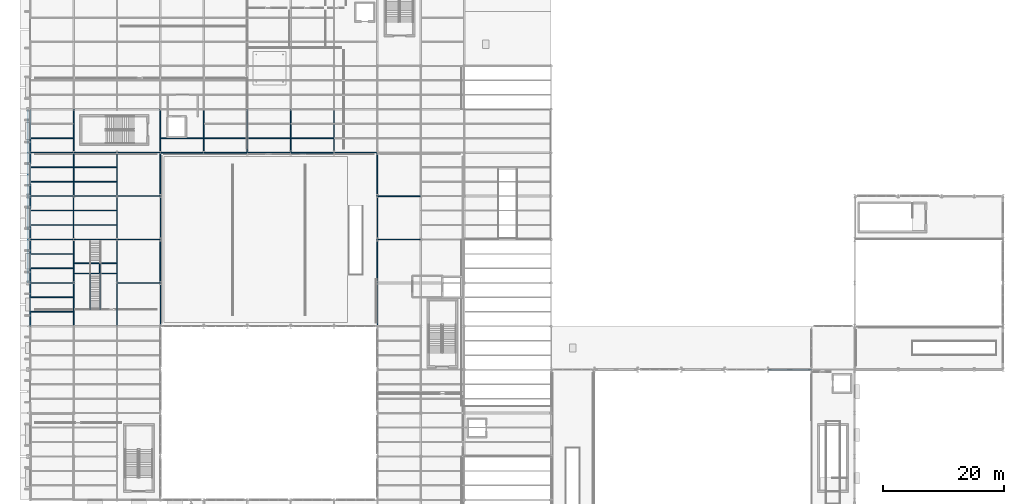
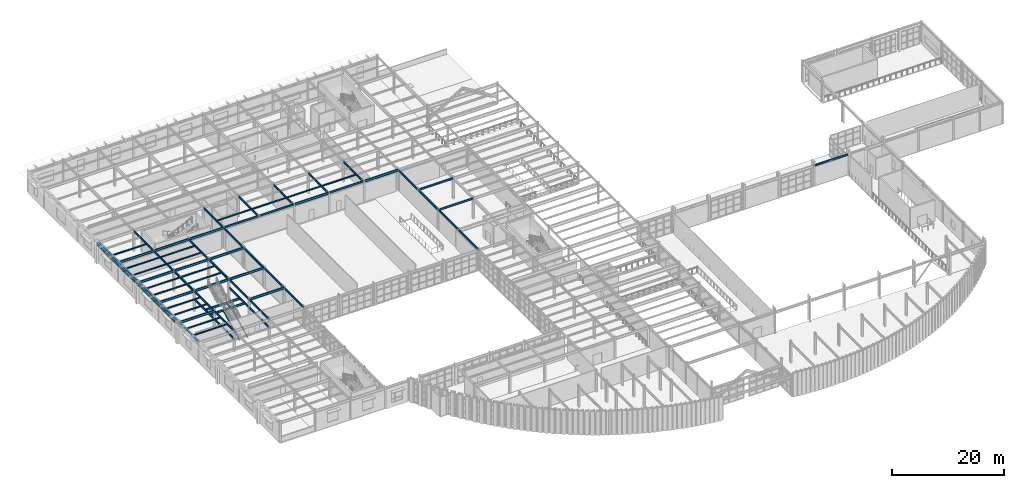
# One storey, part 55 of 126: 70 beams, 11 members.
"""IFC4 building model written with IfcOpenShell, lengths in metres."""

from ifc_helpers import new_model, si_unit, direction, frame, origin, origin_2d, place, context, subcontext, project, spatial, hollow_rectangle, i_section, extrude, material, material_profile, profile_set, type_object, element, save


model = new_model("IFC4")

# Units and contexts
model_context = context("Model", 3, precision=1e-05, world=origin(), true_north=direction((0.0, 1.0)))
body_context = subcontext(model_context, "Body", "Model", "MODEL_VIEW")
ifc_project = project(units=[si_unit("LENGTHUNIT", "METRE"), si_unit("AREAUNIT", "SQUARE_METRE"), si_unit("VOLUMEUNIT", "CUBIC_METRE"), si_unit("PLANEANGLEUNIT", "RADIAN"), si_unit("MASSUNIT", "GRAM", prefix="KILO")], contexts=[model_context])

# Site, building, storey
site_placement = place(None, origin())
site = spatial("IfcSite", under=ifc_project, at=site_placement, CompositionType="ELEMENT")
building_placement = place(site_placement, origin())
building = spatial("IfcBuilding", under=site, at=building_placement, Name="Solvadek Multi-Sports Hall", CompositionType="ELEMENT")
storey_placement = place(building_placement, frame((0.0, 0.0, 9.60009765625)))
storey = spatial("IfcBuildingStorey", under=building, at=storey_placement, Name="L02", CompositionType="ELEMENT", Elevation=9.60009765625)

# Members
ifc_material_1 = material(Name="Steel E250 (250 MPa)", Category="steel")
ifc_material_profile_1 = material_profile(ifc_material_1, hollow_rectangle(XDim=0.14990234375, YDim=0.300048828125, WallThickness=0.010009765625, at=origin_2d()), Name="RHS 300x150x10")
ifc_profile_set_1 = profile_set([ifc_material_profile_1], Name="Steel E250 (250 MPa)")
member_type_1 = type_object("IfcMemberType", Name="INT-SGR-RHS300", PredefinedType="STRINGER", material=ifc_profile_set_1)
for number, where, z_axis, x_axis, name in (
    (1, (11.639892578125, 52.0, -0.47021484375), (0.0, 0.890187188792, 0.455594961463), (-1.0, 0.0, 0.0), "Stair ST-14 Steel Stringer #15"),
    (2, (9.9599609375, 52.0, -0.47021484375), (0.0, 0.890187188792, 0.455594961463), (-1.0, 0.0, 0.0), "Stair ST-14 Steel Stringer #16"),
):
    element("IfcMember", number, at=place(storey_placement, frame(where, z_axis=z_axis, x_axis=x_axis)), inside=storey, type_object=member_type_1, Name=name, PredefinedType="STRINGER", context=body_context, shape_type="SweptSolid", body=[
        extrude(hollow_rectangle(XDim=0.14990234375, YDim=0.300048828125, WallThickness=0.010009765625, at=origin_2d()), origin(), (0.0, 0.0, 1.0), 6.683837890625),
    ])
ifc_material_2 = material(Name="Steel E350 (350 MPa)", Category="steel")
ifc_material_profile_2 = material_profile(ifc_material_2, hollow_rectangle(XDim=0.14990234375, YDim=0.25, WallThickness=0.010009765625, at=origin_2d()), Name="RHS 250x150x10")
ifc_profile_set_2 = profile_set([ifc_material_profile_2], Name="Steel E350 (350 MPa)")
member_type_2 = type_object("IfcMemberType", Name="STR-ARC-RHS250", PredefinedType="USERDEFINED", material=ifc_profile_set_2)
member_1_placement = place(storey_placement, frame((0.0, 49.199951171875, 3.64990234375), z_axis=(0.0, 0.983123357379, 0.182943882588), x_axis=(-1.0, 0.0, 0.0)))
element("IfcMember", 3, at=member_1_placement, inside=storey, type_object=member_type_2, Name="L02 West Facade Pointed Ottoman Arch 5L", ObjectType="ARCH_SEGMENT", PredefinedType="USERDEFINED", context=body_context, shape_type="SweptSolid", body=[
    extrude(hollow_rectangle(XDim=0.14990234375, YDim=0.25, WallThickness=0.010009765625, at=origin_2d()), origin(), (0.0, 0.0, 1.0), 3.661865234375),
])
member_2_placement = place(storey_placement, frame((0.0, 52.800048828125, 4.31982421875), z_axis=(0.0, 0.9831211258, -0.182955874479), x_axis=(-1.0, 0.0, 0.0)))
element("IfcMember", 4, at=member_2_placement, inside=storey, type_object=member_type_2, Name="L02 West Facade Pointed Ottoman Arch 5R", ObjectType="ARCH_SEGMENT", PredefinedType="USERDEFINED", context=body_context, shape_type="SweptSolid", body=[
    extrude(hollow_rectangle(XDim=0.14990234375, YDim=0.25, WallThickness=0.010009765625, at=origin_2d()), origin(), (0.0, 0.0, 1.0), 3.66162109375),
])
for number, where, z_axis, x_axis, name in (
    (5, (0.0, 56.39990234375, 3.64990234375), (0.0, 0.983123357379, 0.182943882588), (-1.0, 0.0, 0.0), "L02 West Facade Pointed Ottoman Arch 6L"),
    (6, (0.0, 60.0, 4.31982421875), (0.0, 0.983123357379, -0.182943882588), (-1.0, 0.0, 0.0), "L02 West Facade Pointed Ottoman Arch 6R"),
):
    element("IfcMember", number, at=place(storey_placement, frame(where, z_axis=z_axis, x_axis=x_axis)), inside=storey, type_object=member_type_2, Name=name, ObjectType="ARCH_SEGMENT", PredefinedType="USERDEFINED", context=body_context, shape_type="SweptSolid", body=[
        extrude(hollow_rectangle(XDim=0.14990234375, YDim=0.25, WallThickness=0.010009765625, at=origin_2d()), origin(), (0.0, 0.0, 1.0), 3.661865234375),
    ])
member_3_placement = place(storey_placement, frame((0.0, 63.60009765625, 3.64990234375), z_axis=(0.0, 0.9831211258, 0.182955874479), x_axis=(-1.0, 0.0, 0.0)))
element("IfcMember", 7, at=member_3_placement, inside=storey, type_object=member_type_2, Name="L02 West Facade Pointed Ottoman Arch 7L", ObjectType="ARCH_SEGMENT", PredefinedType="USERDEFINED", context=body_context, shape_type="SweptSolid", body=[
    extrude(hollow_rectangle(XDim=0.14990234375, YDim=0.25, WallThickness=0.010009765625, at=origin_2d()), origin(), (0.0, 0.0, 1.0), 3.66162109375),
])
member_4_placement = place(storey_placement, frame((0.0, 67.199951171875, 4.31982421875), z_axis=(0.0, 0.983123357379, -0.182943882588), x_axis=(-1.0, 0.0, 0.0)))
element("IfcMember", 8, at=member_4_placement, inside=storey, type_object=member_type_2, Name="L02 West Facade Pointed Ottoman Arch 7R", ObjectType="ARCH_SEGMENT", PredefinedType="USERDEFINED", context=body_context, shape_type="SweptSolid", body=[
    extrude(hollow_rectangle(XDim=0.14990234375, YDim=0.25, WallThickness=0.010009765625, at=origin_2d()), origin(), (0.0, 0.0, 1.0), 3.661865234375),
])
member_5_placement = place(storey_placement, frame((0.0, 70.800048828125, 3.64990234375), z_axis=(0.0, 0.9831211258, 0.182955874479), x_axis=(-1.0, 0.0, 0.0)))
element("IfcMember", 9, at=member_5_placement, inside=storey, type_object=member_type_2, Name="L02 West Facade Pointed Ottoman Arch 8L", ObjectType="ARCH_SEGMENT", PredefinedType="USERDEFINED", context=body_context, shape_type="SweptSolid", body=[
    extrude(hollow_rectangle(XDim=0.14990234375, YDim=0.25, WallThickness=0.010009765625, at=origin_2d()), origin(), (0.0, 0.0, 1.0), 3.66162109375),
])
for number, where, z_axis, x_axis, name in (
    (10, (0.0, 74.39990234375, 4.31982421875), (0.0, 0.983123357379, -0.182943882588), (-1.0, 0.0, 0.0), "L02 West Facade Pointed Ottoman Arch 8R"),
    (11, (0.0, 78.0, 3.64990234375), (0.0, 0.983123357379, 0.182943882588), (-1.0, 0.0, 0.0), "L02 West Facade Pointed Ottoman Arch 9L"),
):
    element("IfcMember", number, at=place(storey_placement, frame(where, z_axis=z_axis, x_axis=x_axis)), inside=storey, type_object=member_type_2, Name=name, ObjectType="ARCH_SEGMENT", PredefinedType="USERDEFINED", context=body_context, shape_type="SweptSolid", body=[
        extrude(hollow_rectangle(XDim=0.14990234375, YDim=0.25, WallThickness=0.010009765625, at=origin_2d()), origin(), (0.0, 0.0, 1.0), 3.661865234375),
    ])

# Beams
ifc_material_profile_3 = material_profile(ifc_material_2, i_section(OverallWidth=0.139892578125, OverallDepth=0.39990234375, WebThickness=0.0087890625, FlangeThickness=0.01611328125, at=origin_2d()), Name="ISMB 400")
ifc_profile_set_3 = profile_set([ifc_material_profile_3], Name="Steel E350 (350 MPa)")
beam_type_1 = type_object("IfcBeamType", Name="STR-BM-ISMB400", PredefinedType="BEAM", material=ifc_profile_set_3)
beam_1_placement = place(storey_placement, frame((122.39990234375, 42.0, 4.35986328125), z_axis=(1.0, 0.0, 0.0), x_axis=(0.0, 1.0, 0.0)))
element("IfcBeam", 12, at=beam_1_placement, inside=storey, type_object=beam_type_1, Name="L02 Girder B-10 #1359", PredefinedType="BEAM", context=body_context, shape_type="SweptSolid", body=[
    extrude(i_section(OverallWidth=0.139892578125, OverallDepth=0.39990234375, WebThickness=0.0087890625, FlangeThickness=0.01611328125, at=origin_2d()), origin(), (0.0, 0.0, 1.0), 7.2001953125),
])
for number, where, z_axis, x_axis, name in (
    (13, (57.60009765625, 63.60009765625, 4.35986328125), (1.0, 0.0, 0.0), (0.0, 1.0, 0.0), "L02 Girder B-10 #1382"),
    (14, (57.60009765625, 70.800048828125, 4.35986328125), (1.0, 0.0, 0.0), (0.0, 1.0, 0.0), "L02 Girder B-10 #1388"),
    (15, (21.60009765625, 78.0, 4.35986328125), (1.0, 0.0, 0.0), (0.0, 1.0, 0.0), "L02 Girder B-10 #1398"),
    (16, (28.800048828125, 78.0, 4.35986328125), (1.0, 0.0, 0.0), (0.0, 1.0, 0.0), "L02 Girder B-10 #1399"),
    (17, (43.199951171875, 78.0, 4.35986328125), (1.0, 0.0, 0.0), (0.0, 1.0, 0.0), "L02 Girder B-10 #1401"),
):
    element("IfcBeam", number, at=place(storey_placement, frame(where, z_axis=z_axis, x_axis=x_axis)), inside=storey, type_object=beam_type_1, Name=name, PredefinedType="BEAM", context=body_context, shape_type="SweptSolid", body=[
        extrude(i_section(OverallWidth=0.139892578125, OverallDepth=0.39990234375, WebThickness=0.0087890625, FlangeThickness=0.01611328125, at=origin_2d()), origin(), (0.0, 0.0, 1.0), 7.199951171875),
    ])
ifc_material_profile_4 = material_profile(ifc_material_2, i_section(OverallWidth=0.14990234375, OverallDepth=0.449951171875, WebThickness=0.009521484375, FlangeThickness=0.017333984375, at=origin_2d()), Name="ISMB 450")
ifc_profile_set_4 = profile_set([ifc_material_profile_4], Name="Steel E350 (350 MPa)")
beam_type_2 = type_object("IfcBeamType", Name="STR-BM-ISMB450", PredefinedType="BEAM", material=ifc_profile_set_4)
beam_2_placement = place(storey_placement, frame((7.199951171875, 56.39990234375, 4.3349609375), z_axis=(0.0, 1.0, 0.0), x_axis=(-1.0, 0.0, 0.0)))
element("IfcBeam", 18, at=beam_2_placement, inside=storey, type_object=beam_type_2, Name="L02 Girder B-09 #1468", PredefinedType="BEAM", context=body_context, shape_type="SweptSolid", body=[
    extrude(i_section(OverallWidth=0.14990234375, OverallDepth=0.449951171875, WebThickness=0.009521484375, FlangeThickness=0.017333984375, at=origin_2d()), origin(), (0.0, 0.0, 1.0), 7.2001953125),
])
for number, where, z_axis, x_axis, name in (
    (19, (7.199951171875, 70.800048828125, 4.3349609375), (0.0, 1.0, 0.0), (-1.0, 0.0, 0.0), "L02 Girder B-09 #1470"),
    (20, (7.199951171875, 78.0, 4.3349609375), (0.0, 1.0, 0.0), (-1.0, 0.0, 0.0), "L02 Girder B-09 #1471"),
):
    element("IfcBeam", number, at=place(storey_placement, frame(where, z_axis=z_axis, x_axis=x_axis)), inside=storey, type_object=beam_type_2, Name=name, PredefinedType="BEAM", context=body_context, shape_type="SweptSolid", body=[
        extrude(i_section(OverallWidth=0.14990234375, OverallDepth=0.449951171875, WebThickness=0.009521484375, FlangeThickness=0.017333984375, at=origin_2d()), origin(), (0.0, 0.0, 1.0), 7.199951171875),
    ])
beam_3_placement = place(storey_placement, frame((14.39990234375, 56.39990234375, 4.3349609375), z_axis=(0.0, 1.0, 0.0), x_axis=(-1.0, 0.0, 0.0)))
element("IfcBeam", 21, at=beam_3_placement, inside=storey, type_object=beam_type_2, Name="L02 Girder B-09 #1480", PredefinedType="BEAM", context=body_context, shape_type="SweptSolid", body=[
    extrude(i_section(OverallWidth=0.14990234375, OverallDepth=0.449951171875, WebThickness=0.009521484375, FlangeThickness=0.017333984375, at=origin_2d()), origin(), (0.0, 0.0, 1.0), 7.2001953125),
])
beam_4_placement = place(storey_placement, frame((14.39990234375, 70.800048828125, 4.3349609375), z_axis=(0.0, 1.0, 0.0), x_axis=(-1.0, 0.0, 0.0)))
element("IfcBeam", 22, at=beam_4_placement, inside=storey, type_object=beam_type_2, Name="L02 Girder B-09 #1482", PredefinedType="BEAM", context=body_context, shape_type="SweptSolid", body=[
    extrude(i_section(OverallWidth=0.14990234375, OverallDepth=0.449951171875, WebThickness=0.009521484375, FlangeThickness=0.017333984375, at=origin_2d()), origin(), (0.0, 0.0, 1.0), 7.199951171875),
])
beam_5_placement = place(storey_placement, frame((21.60009765625, 56.39990234375, 4.3349609375), z_axis=(0.0, 1.0, 0.0), x_axis=(-1.0, 0.0, 0.0)))
element("IfcBeam", 23, at=beam_5_placement, inside=storey, type_object=beam_type_2, Name="L02 Girder B-09 #1491", PredefinedType="BEAM", context=body_context, shape_type="SweptSolid", body=[
    extrude(i_section(OverallWidth=0.14990234375, OverallDepth=0.449951171875, WebThickness=0.009521484375, FlangeThickness=0.017333984375, at=origin_2d()), origin(), (0.0, 0.0, 1.0), 7.2001953125),
])
for number, where, z_axis, x_axis, name in (
    (24, (21.60009765625, 70.800048828125, 4.3349609375), (0.0, 1.0, 0.0), (-1.0, 0.0, 0.0), "L02 Girder B-09 #1493"),
    (25, (21.60009765625, 78.0, 4.3349609375), (0.0, 1.0, 0.0), (-1.0, 0.0, 0.0), "L02 Girder B-09 #1494"),
    (26, (28.800048828125, 78.0, 4.3349609375), (0.0, 1.0, 0.0), (-1.0, 0.0, 0.0), "L02 Girder B-09 #1498"),
    (27, (36.0, 78.0, 4.3349609375), (0.0, 1.0, 0.0), (-1.0, 0.0, 0.0), "L02 Girder B-09 #1503"),
    (28, (43.199951171875, 78.0, 4.3349609375), (0.0, 1.0, 0.0), (-1.0, 0.0, 0.0), "L02 Girder B-09 #1509"),
    (29, (50.39990234375, 78.0, 4.3349609375), (0.0, 1.0, 0.0), (-1.0, 0.0, 0.0), "L02 Girder B-09 #1515"),
):
    element("IfcBeam", number, at=place(storey_placement, frame(where, z_axis=z_axis, x_axis=x_axis)), inside=storey, type_object=beam_type_2, Name=name, PredefinedType="BEAM", context=body_context, shape_type="SweptSolid", body=[
        extrude(i_section(OverallWidth=0.14990234375, OverallDepth=0.449951171875, WebThickness=0.009521484375, FlangeThickness=0.017333984375, at=origin_2d()), origin(), (0.0, 0.0, 1.0), 7.199951171875),
    ])
beam_6_placement = place(storey_placement, frame((57.60009765625, 56.39990234375, 4.3349609375), z_axis=(0.0, 1.0, 0.0), x_axis=(-1.0, 0.0, 0.0)))
element("IfcBeam", 30, at=beam_6_placement, inside=storey, type_object=beam_type_2, Name="L02 Girder B-09 #1529", PredefinedType="BEAM", context=body_context, shape_type="SweptSolid", body=[
    extrude(i_section(OverallWidth=0.14990234375, OverallDepth=0.449951171875, WebThickness=0.009521484375, FlangeThickness=0.017333984375, at=origin_2d()), origin(), (0.0, 0.0, 1.0), 7.2001953125),
])
beam_7_placement = place(storey_placement, frame((57.60009765625, 70.800048828125, 4.3349609375), z_axis=(0.0, 1.0, 0.0), x_axis=(-1.0, 0.0, 0.0)))
element("IfcBeam", 31, at=beam_7_placement, inside=storey, type_object=beam_type_2, Name="L02 Girder B-09 #1531", PredefinedType="BEAM", context=body_context, shape_type="SweptSolid", body=[
    extrude(i_section(OverallWidth=0.14990234375, OverallDepth=0.449951171875, WebThickness=0.009521484375, FlangeThickness=0.017333984375, at=origin_2d()), origin(), (0.0, 0.0, 1.0), 7.199951171875),
])
ifc_material_profile_5 = material_profile(ifc_material_2, i_section(OverallWidth=0.179931640625, OverallDepth=0.5, WebThickness=0.01025390625, FlangeThickness=0.01708984375, at=origin_2d()), Name="ISMB 500")
ifc_profile_set_5 = profile_set([ifc_material_profile_5], Name="Steel E350 (350 MPa)")
beam_type_3 = type_object("IfcBeamType", Name="STR-BM-ISMB500", PredefinedType="BEAM", material=ifc_profile_set_5)
beam_8_placement = place(storey_placement, frame((0.0, 56.39990234375, 4.309814453125), z_axis=(1.0, 0.0, 0.0), x_axis=(0.0, 1.0, 0.0)))
element("IfcBeam", 32, at=beam_8_placement, inside=storey, type_object=beam_type_3, Name="L02 Girder B-07 #1375", PredefinedType="BEAM", context=body_context, shape_type="SweptSolid", body=[
    extrude(i_section(OverallWidth=0.179931640625, OverallDepth=0.5, WebThickness=0.01025390625, FlangeThickness=0.01708984375, at=origin_2d()), origin(), (0.0, 0.0, 1.0), 7.199951171875),
])
beam_9_placement = place(storey_placement, frame((14.39990234375, 56.39990234375, 4.309814453125), z_axis=(1.0, 0.0, 0.0), x_axis=(0.0, 1.0, 0.0)))
element("IfcBeam", 33, at=beam_9_placement, inside=storey, type_object=beam_type_3, Name="L02 Girder B-07 #1376", PredefinedType="BEAM", context=body_context, shape_type="SweptSolid", body=[
    extrude(i_section(OverallWidth=0.179931640625, OverallDepth=0.5, WebThickness=0.01025390625, FlangeThickness=0.01708984375, at=origin_2d()), origin(), (0.0, 0.0, 1.0), 7.2001953125),
])
for number, where, z_axis, x_axis, name in (
    (34, (0.0, 63.60009765625, 4.309814453125), (1.0, 0.0, 0.0), (0.0, 1.0, 0.0), "L02 Girder B-07 #1379"),
    (35, (7.199951171875, 63.60009765625, 4.309814453125), (1.0, 0.0, 0.0), (0.0, 1.0, 0.0), "L02 Girder B-07 #1380"),
):
    element("IfcBeam", number, at=place(storey_placement, frame(where, z_axis=z_axis, x_axis=x_axis)), inside=storey, type_object=beam_type_3, Name=name, PredefinedType="BEAM", context=body_context, shape_type="SweptSolid", body=[
        extrude(i_section(OverallWidth=0.179931640625, OverallDepth=0.5, WebThickness=0.01025390625, FlangeThickness=0.01708984375, at=origin_2d()), origin(), (0.0, 0.0, 1.0), 7.199951171875),
    ])
beam_10_placement = place(storey_placement, frame((14.39990234375, 63.60009765625, 4.309814453125), z_axis=(1.0, 0.0, 0.0), x_axis=(0.0, 1.0, 0.0)))
element("IfcBeam", 36, at=beam_10_placement, inside=storey, type_object=beam_type_3, Name="L02 Girder B-07 #1381", PredefinedType="BEAM", context=body_context, shape_type="SweptSolid", body=[
    extrude(i_section(OverallWidth=0.179931640625, OverallDepth=0.5, WebThickness=0.01025390625, FlangeThickness=0.01708984375, at=origin_2d()), origin(), (0.0, 0.0, 1.0), 7.2001953125),
])
for number, where, z_axis, x_axis, name in (
    (37, (0.0, 70.800048828125, 4.309814453125), (1.0, 0.0, 0.0), (0.0, 1.0, 0.0), "L02 Girder B-07 #1385"),
    (38, (7.199951171875, 70.800048828125, 4.309814453125), (1.0, 0.0, 0.0), (0.0, 1.0, 0.0), "L02 Girder B-07 #1386"),
):
    element("IfcBeam", number, at=place(storey_placement, frame(where, z_axis=z_axis, x_axis=x_axis)), inside=storey, type_object=beam_type_3, Name=name, PredefinedType="BEAM", context=body_context, shape_type="SweptSolid", body=[
        extrude(i_section(OverallWidth=0.179931640625, OverallDepth=0.5, WebThickness=0.01025390625, FlangeThickness=0.01708984375, at=origin_2d()), origin(), (0.0, 0.0, 1.0), 7.199951171875),
    ])
beam_11_placement = place(storey_placement, frame((14.39990234375, 70.800048828125, 4.309814453125), z_axis=(1.0, 0.0, 0.0), x_axis=(0.0, 1.0, 0.0)))
element("IfcBeam", 39, at=beam_11_placement, inside=storey, type_object=beam_type_3, Name="L02 Girder B-07 #1387", PredefinedType="BEAM", context=body_context, shape_type="SweptSolid", body=[
    extrude(i_section(OverallWidth=0.179931640625, OverallDepth=0.5, WebThickness=0.01025390625, FlangeThickness=0.01708984375, at=origin_2d()), origin(), (0.0, 0.0, 1.0), 7.2001953125),
])
for number, where, z_axis, x_axis, name in (
    (40, (0.0, 78.0, 4.309814453125), (1.0, 0.0, 0.0), (0.0, 1.0, 0.0), "L02 Girder B-07 #1395"),
    (41, (7.199951171875, 78.0, 4.309814453125), (1.0, 0.0, 0.0), (0.0, 1.0, 0.0), "L02 Girder B-07 #1396"),
):
    element("IfcBeam", number, at=place(storey_placement, frame(where, z_axis=z_axis, x_axis=x_axis)), inside=storey, type_object=beam_type_3, Name=name, PredefinedType="BEAM", context=body_context, shape_type="SweptSolid", body=[
        extrude(i_section(OverallWidth=0.179931640625, OverallDepth=0.5, WebThickness=0.01025390625, FlangeThickness=0.01708984375, at=origin_2d()), origin(), (0.0, 0.0, 1.0), 7.199951171875),
    ])
beam_12_placement = place(storey_placement, frame((14.39990234375, 78.0, 4.309814453125), z_axis=(1.0, 0.0, 0.0), x_axis=(0.0, 1.0, 0.0)))
element("IfcBeam", 42, at=beam_12_placement, inside=storey, type_object=beam_type_3, Name="L02 Girder B-07 #1397", PredefinedType="BEAM", context=body_context, shape_type="SweptSolid", body=[
    extrude(i_section(OverallWidth=0.179931640625, OverallDepth=0.5, WebThickness=0.01025390625, FlangeThickness=0.01708984375, at=origin_2d()), origin(), (0.0, 0.0, 1.0), 7.2001953125),
])
beam_13_placement = place(storey_placement, frame((36.0, 78.0, 4.309814453125), z_axis=(1.0, 0.0, 0.0), x_axis=(0.0, 1.0, 0.0)))
element("IfcBeam", 43, at=beam_13_placement, inside=storey, type_object=beam_type_3, Name="L02 Girder B-07 #1400", PredefinedType="BEAM", context=body_context, shape_type="SweptSolid", body=[
    extrude(i_section(OverallWidth=0.179931640625, OverallDepth=0.5, WebThickness=0.01025390625, FlangeThickness=0.01708984375, at=origin_2d()), origin(), (0.0, 0.0, 1.0), 7.199951171875),
])
beam_14_placement = place(storey_placement, frame((50.39990234375, 78.0, 4.309814453125), z_axis=(1.0, 0.0, 0.0), x_axis=(0.0, 1.0, 0.0)))
element("IfcBeam", 44, at=beam_14_placement, inside=storey, type_object=beam_type_3, Name="L02 Girder B-07 #1402", PredefinedType="BEAM", context=body_context, shape_type="SweptSolid", body=[
    extrude(i_section(OverallWidth=0.179931640625, OverallDepth=0.5, WebThickness=0.01025390625, FlangeThickness=0.01708984375, at=origin_2d()), origin(), (0.0, 0.0, 1.0), 7.2001953125),
])
ifc_material_profile_6 = material_profile(ifc_material_2, i_section(OverallWidth=0.14990234375, OverallDepth=0.449951171875, WebThickness=0.009521484375, FlangeThickness=0.017333984375, at=origin_2d()), Name="ISMB 450")
ifc_profile_set_6 = profile_set([ifc_material_profile_6], Name="Steel E350 (350 MPa)")
beam_type_4 = type_object("IfcBeamType", Name="STR-BM-LND450", PredefinedType="BEAM", material=ifc_profile_set_6)
for number, where, z_axis, x_axis, name in (
    (45, (7.199951171875, 49.199951171875, 2.574951171875), (0.0, 1.0, 0.0), (-1.0, 0.0, 0.0), "Stair ST-14 Landing Edge Girder #1"),
    (46, (14.39990234375, 49.199951171875, 2.574951171875), (0.0, 1.0, 0.0), (-1.0, 0.0, 0.0), "Stair ST-14 Landing Edge Girder #2"),
):
    element("IfcBeam", number, at=place(storey_placement, frame(where, z_axis=z_axis, x_axis=x_axis)), inside=storey, type_object=beam_type_4, Name=name, PredefinedType="BEAM", context=body_context, shape_type="SweptSolid", body=[
        extrude(i_section(OverallWidth=0.14990234375, OverallDepth=0.449951171875, WebThickness=0.009521484375, FlangeThickness=0.017333984375, at=origin_2d()), origin(), (0.0, 0.0, 1.0), 14.400146484375),
    ])
for number, where, z_axis, x_axis, name in (
    (47, (7.27490234375, 57.949951171875, 2.574951171875), (1.0, 0.0, 0.0), (0.0, 1.0, 0.0), "Stair ST-14 Landing Trimmer Girder #1"),
    (48, (7.27490234375, 59.64990234375, 2.574951171875), (1.0, 0.0, 0.0), (0.0, 1.0, 0.0), "Stair ST-14 Landing Trimmer Girder #2"),
):
    element("IfcBeam", number, at=place(storey_placement, frame(where, z_axis=z_axis, x_axis=x_axis)), inside=storey, type_object=beam_type_4, Name=name, PredefinedType="BEAM", context=body_context, shape_type="SweptSolid", body=[
        extrude(i_section(OverallWidth=0.14990234375, OverallDepth=0.449951171875, WebThickness=0.009521484375, FlangeThickness=0.017333984375, at=origin_2d()), origin(), (0.0, 0.0, 1.0), 7.050048828125),
    ])
beam_15_placement = place(storey_placement, frame((11.555908203125, 58.02490234375, 2.574951171875), z_axis=(0.0, 1.0, 0.0), x_axis=(-1.0, 0.0, 0.0)))
element("IfcBeam", 49, at=beam_15_placement, inside=storey, type_object=beam_type_4, Name="Stair ST-14 Landing Diaphragm Rib", PredefinedType="BEAM", context=body_context, shape_type="SweptSolid", body=[
    extrude(i_section(OverallWidth=0.14990234375, OverallDepth=0.449951171875, WebThickness=0.009521484375, FlangeThickness=0.017333984375, at=origin_2d()), origin(), (0.0, 0.0, 1.0), 1.550048828125),
])
ifc_material_profile_7 = material_profile(ifc_material_2, i_section(OverallWidth=0.18994140625, OverallDepth=0.449951171875, WebThickness=0.009521484375, FlangeThickness=0.0146484375, at=origin_2d()), Name="NPB 450")
ifc_profile_set_7 = profile_set([ifc_material_profile_7], Name="Steel E350 (350 MPa)")
beam_type_5 = type_object("IfcBeamType", Name="STR-BM-NPB450", PredefinedType="BEAM", material=ifc_profile_set_7)
for number, where, z_axis, x_axis, name in (
    (50, (7.199951171875, 49.199951171875, 4.3349609375), (0.0, 1.0, 0.0), (-1.0, 0.0, 0.0), "L02 Girder B-08 #1467"),
    (51, (7.199951171875, 63.60009765625, 4.3349609375), (0.0, 1.0, 0.0), (-1.0, 0.0, 0.0), "L02 Girder B-08 #1469"),
    (52, (14.39990234375, 49.199951171875, 4.3349609375), (0.0, 1.0, 0.0), (-1.0, 0.0, 0.0), "L02 Girder B-08 #1479"),
    (53, (14.39990234375, 63.60009765625, 4.3349609375), (0.0, 1.0, 0.0), (-1.0, 0.0, 0.0), "L02 Girder B-08 #1481"),
    (54, (21.60009765625, 49.199951171875, 4.3349609375), (0.0, 1.0, 0.0), (-1.0, 0.0, 0.0), "L02 Girder B-08 #1490"),
    (55, (21.60009765625, 63.60009765625, 4.3349609375), (0.0, 1.0, 0.0), (-1.0, 0.0, 0.0), "L02 Girder B-08 #1492"),
    (56, (57.60009765625, 49.199951171875, 4.3349609375), (0.0, 1.0, 0.0), (-1.0, 0.0, 0.0), "L02 Girder B-08 #1528"),
    (57, (57.60009765625, 63.60009765625, 4.3349609375), (0.0, 1.0, 0.0), (-1.0, 0.0, 0.0), "L02 Girder B-08 #1530"),
):
    element("IfcBeam", number, at=place(storey_placement, frame(where, z_axis=z_axis, x_axis=x_axis)), inside=storey, type_object=beam_type_5, Name=name, PredefinedType="BEAM", context=body_context, shape_type="SweptSolid", body=[
        extrude(i_section(OverallWidth=0.18994140625, OverallDepth=0.449951171875, WebThickness=0.009521484375, FlangeThickness=0.0146484375, at=origin_2d()), origin(), (0.0, 0.0, 1.0), 7.199951171875),
    ])
ifc_material_profile_8 = material_profile(ifc_material_2, i_section(OverallWidth=0.139892578125, OverallDepth=0.300048828125, WebThickness=0.0078125, FlangeThickness=0.01318359375, at=origin_2d()), Name="ISMB 300")
ifc_profile_set_8 = profile_set([ifc_material_profile_8], Name="Steel E350 (350 MPa)")
beam_type_6 = type_object("IfcBeamType", Name="STR-JST-ISMB300", PredefinedType="JOIST", material=ifc_profile_set_8)
for number, where, z_axis, x_axis, name in (
    (58, (0.14990234375, 51.60009765625, 4.409912109375), (1.0, 0.0, 0.0), (0.0, 1.0, 0.0), "L02 Composite Joist J-03 #815"),
    (59, (0.14990234375, 54.0, 4.409912109375), (1.0, 0.0, 0.0), (0.0, 1.0, 0.0), "L02 Composite Joist J-03 #816"),
):
    element("IfcBeam", number, at=place(storey_placement, frame(where, z_axis=z_axis, x_axis=x_axis)), inside=storey, type_object=beam_type_6, Name=name, PredefinedType="JOIST", context=body_context, shape_type="SweptSolid", body=[
        extrude(i_section(OverallWidth=0.139892578125, OverallDepth=0.300048828125, WebThickness=0.0078125, FlangeThickness=0.01318359375, at=origin_2d()), origin(), (0.0, 0.0, 1.0), 6.955078125),
    ])
for number, where, z_axis, x_axis, name in (
    (60, (0.14990234375, 58.800048828125, 4.409912109375), (1.0, 0.0, 0.0), (0.0, 1.0, 0.0), "L02 Composite Joist J-03 #819"),
    (61, (0.14990234375, 61.199951171875, 4.409912109375), (1.0, 0.0, 0.0), (0.0, 1.0, 0.0), "L02 Composite Joist J-03 #820"),
):
    element("IfcBeam", number, at=place(storey_placement, frame(where, z_axis=z_axis, x_axis=x_axis)), inside=storey, type_object=beam_type_6, Name=name, PredefinedType="JOIST", context=body_context, shape_type="SweptSolid", body=[
        extrude(i_section(OverallWidth=0.139892578125, OverallDepth=0.300048828125, WebThickness=0.0078125, FlangeThickness=0.01318359375, at=origin_2d()), origin(), (0.0, 0.0, 1.0), 6.97509765625),
    ])
for number, where, z_axis, x_axis, name in (
    (62, (0.14990234375, 66.0, 4.409912109375), (1.0, 0.0, 0.0), (0.0, 1.0, 0.0), "L02 Composite Joist J-03 #823"),
    (63, (0.14990234375, 68.39990234375, 4.409912109375), (1.0, 0.0, 0.0), (0.0, 1.0, 0.0), "L02 Composite Joist J-03 #824"),
):
    element("IfcBeam", number, at=place(storey_placement, frame(where, z_axis=z_axis, x_axis=x_axis)), inside=storey, type_object=beam_type_6, Name=name, PredefinedType="JOIST", context=body_context, shape_type="SweptSolid", body=[
        extrude(i_section(OverallWidth=0.139892578125, OverallDepth=0.300048828125, WebThickness=0.0078125, FlangeThickness=0.01318359375, at=origin_2d()), origin(), (0.0, 0.0, 1.0), 6.955078125),
    ])
for number, where, z_axis, x_axis, name in (
    (64, (7.294921875, 66.0, 4.409912109375), (1.0, 0.0, 0.0), (0.0, 1.0, 0.0), "L02 Composite Joist J-03 #825"),
    (65, (7.294921875, 68.39990234375, 4.409912109375), (1.0, 0.0, 0.0), (0.0, 1.0, 0.0), "L02 Composite Joist J-03 #826"),
):
    element("IfcBeam", number, at=place(storey_placement, frame(where, z_axis=z_axis, x_axis=x_axis)), inside=storey, type_object=beam_type_6, Name=name, PredefinedType="JOIST", context=body_context, shape_type="SweptSolid", body=[
        extrude(i_section(OverallWidth=0.139892578125, OverallDepth=0.300048828125, WebThickness=0.0078125, FlangeThickness=0.01318359375, at=origin_2d()), origin(), (0.0, 0.0, 1.0), 7.010009765625),
    ])
for number, where, z_axis, x_axis, name in (
    (66, (0.14990234375, 73.199951171875, 4.409912109375), (1.0, 0.0, 0.0), (0.0, 1.0, 0.0), "L02 Composite Joist J-03 #831"),
    (67, (0.14990234375, 75.60009765625, 4.409912109375), (1.0, 0.0, 0.0), (0.0, 1.0, 0.0), "L02 Composite Joist J-03 #832"),
):
    element("IfcBeam", number, at=place(storey_placement, frame(where, z_axis=z_axis, x_axis=x_axis)), inside=storey, type_object=beam_type_6, Name=name, PredefinedType="JOIST", context=body_context, shape_type="SweptSolid", body=[
        extrude(i_section(OverallWidth=0.139892578125, OverallDepth=0.300048828125, WebThickness=0.0078125, FlangeThickness=0.01318359375, at=origin_2d()), origin(), (0.0, 0.0, 1.0), 6.97509765625),
    ])
for number, where, z_axis, x_axis, name in (
    (68, (7.27490234375, 73.199951171875, 4.409912109375), (1.0, 0.0, 0.0), (0.0, 1.0, 0.0), "L02 Composite Joist J-03 #833"),
    (69, (7.27490234375, 75.60009765625, 4.409912109375), (1.0, 0.0, 0.0), (0.0, 1.0, 0.0), "L02 Composite Joist J-03 #834"),
):
    element("IfcBeam", number, at=place(storey_placement, frame(where, z_axis=z_axis, x_axis=x_axis)), inside=storey, type_object=beam_type_6, Name=name, PredefinedType="JOIST", context=body_context, shape_type="SweptSolid", body=[
        extrude(i_section(OverallWidth=0.139892578125, OverallDepth=0.300048828125, WebThickness=0.0078125, FlangeThickness=0.01318359375, at=origin_2d()), origin(), (0.0, 0.0, 1.0), 7.050048828125),
    ])
beam_16_placement = place(storey_placement, frame((0.14990234375, 80.39990234375, 4.409912109375), z_axis=(1.0, 0.0, 0.0), x_axis=(0.0, 1.0, 0.0)))
element("IfcBeam", 70, at=beam_16_placement, inside=storey, type_object=beam_type_6, Name="L02 Composite Joist J-03 #839", PredefinedType="JOIST", context=body_context, shape_type="SweptSolid", body=[
    extrude(i_section(OverallWidth=0.139892578125, OverallDepth=0.300048828125, WebThickness=0.0078125, FlangeThickness=0.01318359375, at=origin_2d()), origin(), (0.0, 0.0, 1.0), 6.97509765625),
])
for number, where, z_axis, x_axis, name in (
    (71, (21.675048828125, 80.39990234375, 4.409912109375), (1.0, 0.0, 0.0), (0.0, 1.0, 0.0), "L02 Composite Joist J-03 #841"),
    (72, (28.875, 80.39990234375, 4.409912109375), (1.0, 0.0, 0.0), (0.0, 1.0, 0.0), "L02 Composite Joist J-03 #842"),
    (73, (36.074951171875, 80.39990234375, 4.409912109375), (1.0, 0.0, 0.0), (0.0, 1.0, 0.0), "L02 Composite Joist J-03 #844"),
    (74, (43.27490234375, 80.39990234375, 4.409912109375), (1.0, 0.0, 0.0), (0.0, 1.0, 0.0), "L02 Composite Joist J-03 #846"),
):
    element("IfcBeam", number, at=place(storey_placement, frame(where, z_axis=z_axis, x_axis=x_axis)), inside=storey, type_object=beam_type_6, Name=name, PredefinedType="JOIST", context=body_context, shape_type="SweptSolid", body=[
        extrude(i_section(OverallWidth=0.139892578125, OverallDepth=0.300048828125, WebThickness=0.0078125, FlangeThickness=0.01318359375, at=origin_2d()), origin(), (0.0, 0.0, 1.0), 7.050048828125),
    ])
ifc_material_profile_9 = material_profile(ifc_material_2, i_section(OverallWidth=0.300048828125, OverallDepth=0.39990234375, WebThickness=0.013427734375, FlangeThickness=0.02392578125, at=origin_2d()), Name="WPB 400")
ifc_profile_set_9 = profile_set([ifc_material_profile_9], Name="Steel E350 (350 MPa)")
beam_type_7 = type_object("IfcBeamType", Name="STR-SPN-WPB400", PredefinedType="SPANDREL", material=ifc_profile_set_9)
for number, where, z_axis, x_axis, name in (
    (75, (0.0, 49.199951171875, 4.35986328125), (0.0, 1.0, 0.0), (-1.0, 0.0, 0.0), "L02 Girder SP-02 #1455"),
    (76, (0.0, 63.60009765625, 4.35986328125), (0.0, 1.0, 0.0), (-1.0, 0.0, 0.0), "L02 Girder SP-02 #1457"),
):
    element("IfcBeam", number, at=place(storey_placement, frame(where, z_axis=z_axis, x_axis=x_axis)), inside=storey, type_object=beam_type_7, Name=name, PredefinedType="SPANDREL", context=body_context, shape_type="SweptSolid", body=[
        extrude(i_section(OverallWidth=0.300048828125, OverallDepth=0.39990234375, WebThickness=0.013427734375, FlangeThickness=0.02392578125, at=origin_2d()), origin(), (0.0, 0.0, 1.0), 7.199951171875),
    ])
ifc_material_profile_10 = material_profile(ifc_material_2, i_section(OverallWidth=0.300048828125, OverallDepth=0.5, WebThickness=0.014404296875, FlangeThickness=0.028076171875, at=origin_2d()), Name="WPB 500")
ifc_profile_set_10 = profile_set([ifc_material_profile_10], Name="Steel E350 (350 MPa)")
beam_type_8 = type_object("IfcBeamType", Name="STR-SPN-WPB500", PredefinedType="SPANDREL", material=ifc_profile_set_10)
beam_17_placement = place(storey_placement, frame((-0.419921875, 56.39990234375, 4.309814453125), z_axis=(0.0, 1.0, 0.0), x_axis=(-1.0, 0.0, 0.0)))
element("IfcBeam", 77, at=beam_17_placement, inside=storey, type_object=beam_type_8, Name="L02 Girder SP-01 #1449", PredefinedType="SPANDREL", context=body_context, shape_type="SweptSolid", body=[
    extrude(i_section(OverallWidth=0.300048828125, OverallDepth=0.5, WebThickness=0.014404296875, FlangeThickness=0.028076171875, at=origin_2d()), origin(), (0.0, 0.0, 1.0), 14.400146484375),
])
beam_18_placement = place(storey_placement, frame((-0.419921875, 70.800048828125, 4.309814453125), z_axis=(0.0, 1.0, 0.0), x_axis=(-1.0, 0.0, 0.0)))
element("IfcBeam", 78, at=beam_18_placement, inside=storey, type_object=beam_type_8, Name="L02 Girder SP-01 #1450", PredefinedType="SPANDREL", context=body_context, shape_type="SweptSolid", body=[
    extrude(i_section(OverallWidth=0.300048828125, OverallDepth=0.5, WebThickness=0.014404296875, FlangeThickness=0.028076171875, at=origin_2d()), origin(), (0.0, 0.0, 1.0), 14.39990234375),
])
beam_19_placement = place(storey_placement, frame((0.0, 56.39990234375, 4.309814453125), z_axis=(0.0, 1.0, 0.0), x_axis=(-1.0, 0.0, 0.0)))
element("IfcBeam", 79, at=beam_19_placement, inside=storey, type_object=beam_type_8, Name="L02 Girder SP-01 #1456", PredefinedType="SPANDREL", context=body_context, shape_type="SweptSolid", body=[
    extrude(i_section(OverallWidth=0.300048828125, OverallDepth=0.5, WebThickness=0.014404296875, FlangeThickness=0.028076171875, at=origin_2d()), origin(), (0.0, 0.0, 1.0), 7.2001953125),
])
for number, where, z_axis, x_axis, name in (
    (80, (0.0, 70.800048828125, 4.309814453125), (0.0, 1.0, 0.0), (-1.0, 0.0, 0.0), "L02 Girder SP-01 #1458"),
    (81, (0.0, 78.0, 4.309814453125), (0.0, 1.0, 0.0), (-1.0, 0.0, 0.0), "L02 Girder SP-01 #1459"),
):
    element("IfcBeam", number, at=place(storey_placement, frame(where, z_axis=z_axis, x_axis=x_axis)), inside=storey, type_object=beam_type_8, Name=name, PredefinedType="SPANDREL", context=body_context, shape_type="SweptSolid", body=[
        extrude(i_section(OverallWidth=0.300048828125, OverallDepth=0.5, WebThickness=0.014404296875, FlangeThickness=0.028076171875, at=origin_2d()), origin(), (0.0, 0.0, 1.0), 7.199951171875),
    ])

save(model, "model.ifc")
